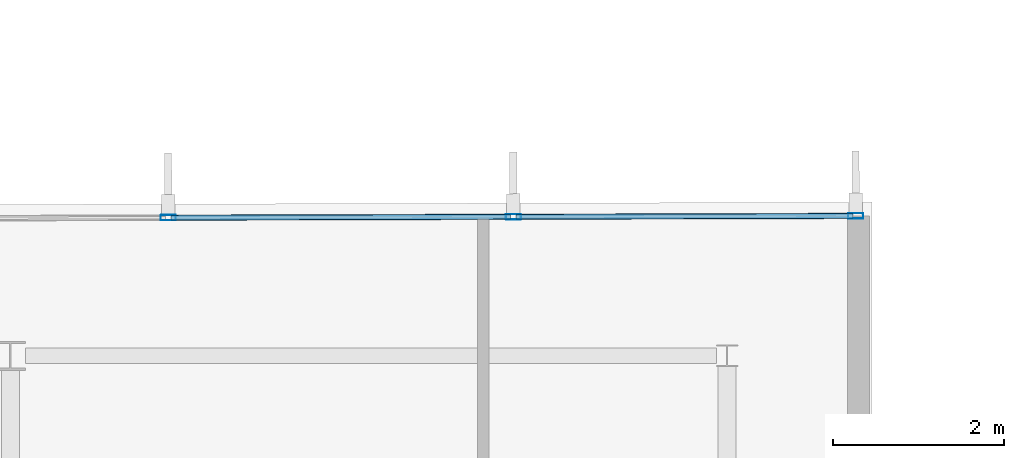
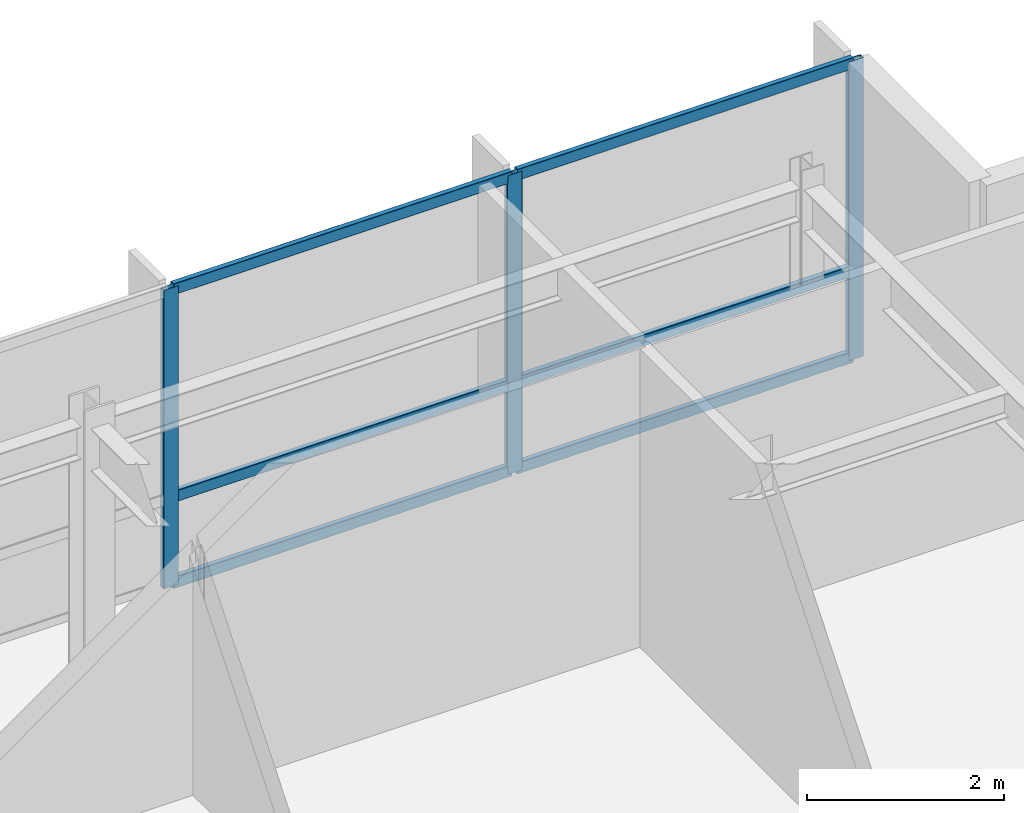
# One storey, part 8 of 15: 9 members, 1 element without a shape of its own.
"""IFC4 building model written with IfcOpenShell, lengths in metres."""

from ifc_helpers import new_model, si_unit, direction, frame, origin, origin_2d, place, context, subcontext, project, spatial, hollow_rectangle, extrude, material, layer, layer_set, material_profile, profile_set, type_object, element, aggregate, save


model = new_model("IFC4")

# Units and contexts
model_context = context("Model", 3, precision=1e-05, world=origin(), true_north=direction((0.0, 1.0)))
body_context = subcontext(model_context, "Body", "Model", "MODEL_VIEW")
ifc_project = project(units=[si_unit("LENGTHUNIT", "METRE"), si_unit("AREAUNIT", "SQUARE_METRE"), si_unit("VOLUMEUNIT", "CUBIC_METRE"), si_unit("PLANEANGLEUNIT", "RADIAN"), si_unit("MASSUNIT", "GRAM", prefix="KILO")], contexts=[model_context])

# Site, building, storey
site_placement = place(None, origin())
site = spatial("IfcSite", under=ifc_project, at=site_placement, CompositionType="ELEMENT")
building_placement = place(site_placement, origin())
building = spatial("IfcBuilding", under=site, at=building_placement, Name="Varnakote Quay Hospital", CompositionType="ELEMENT")
storey_placement = place(building_placement, frame((0.0, 0.0, 244.699951171875)))
storey = spatial("IfcBuildingStorey", under=building, at=storey_placement, Name="L60", CompositionType="ELEMENT", Elevation=244.699951171875)

# Curtain wall, members
ifc_material_1 = material(Name="Anodised aluminium 6063-T6 Bronze", Category="aluminium")
ifc_layer = layer(ifc_material_1, 0.235107421875)
ifc_layer_set = layer_set([ifc_layer], Name="Anodised aluminium 6063-T6 Bronze")
curtain_wall_type = type_object("IfcCurtainWallType", Name="CW-SYS-5", PredefinedType="NOTDEFINED", material=ifc_layer_set)
curtain_wall_placement = place(storey_placement, origin())
curtain_wall = element("IfcCurtainWall", 1, at=curtain_wall_placement, inside=storey, type_object=curtain_wall_type, Name="L60 Unitised Bronze Curtain Wall 1", PredefinedType="NOTDEFINED")
ifc_material_2 = material(Name="Anodised aluminium 6063-T6 Bronze", Category="aluminium")
ifc_material_profile_1 = material_profile(ifc_material_2, hollow_rectangle(XDim=0.06494140625, YDim=0.179931640625, WallThickness=0.00390625, InnerFilletRadius=0.00390625, OuterFilletRadius=0.008056640625, at=origin_2d()), Name="CW-MULL-180x65")
ifc_profile_set_1 = profile_set([ifc_material_profile_1], Name="Anodised aluminium 6063-T6 Bronze")
member_type_1 = type_object("IfcMemberType", Name="CW-MULL-180x65", PredefinedType="MULLION", material=ifc_profile_set_1)
member_1_placement = place(storey_placement, frame((43.507568359375, 30.439453125, 0.0), z_axis=(0.0, 0.0, 1.0), x_axis=(0.002604222224, -0.999996609008, 0.0)))
member_1 = element("IfcMember", 2, at=member_1_placement, type_object=member_type_1, Name="-5-L60-1 mullion 1", PredefinedType="MULLION", context=body_context, shape_type="SweptSolid", body=[
    extrude(hollow_rectangle(XDim=0.06494140625, YDim=0.179931640625, WallThickness=0.00390625, InnerFilletRadius=0.00390625, OuterFilletRadius=0.008056640625, at=origin_2d()), origin(), (0.0, 0.0, 1.0), 3.7099609375),
])
member_2_placement = place(storey_placement, frame((39.495361328125, 30.428955078125, 0.0), z_axis=(0.0, 0.0, 1.0), x_axis=(0.002604222224, -0.999996609008, 0.0)))
member_2 = element("IfcMember", 3, at=member_2_placement, type_object=member_type_1, Name="-5-L60-1 mullion 2", PredefinedType="MULLION", context=body_context, shape_type="SweptSolid", body=[
    extrude(hollow_rectangle(XDim=0.06494140625, YDim=0.179931640625, WallThickness=0.00390625, InnerFilletRadius=0.00390625, OuterFilletRadius=0.008056640625, at=origin_2d()), origin(), (0.0, 0.0, 1.0), 3.7099609375),
])
member_3_placement = place(storey_placement, frame((35.45068359375, 30.41845703125, 0.0), z_axis=(0.0, 0.0, 1.0), x_axis=(0.002604222224, -0.999996609008, 0.0)))
member_3 = element("IfcMember", 4, at=member_3_placement, type_object=member_type_1, Name="-5-L60-1 mullion 3", PredefinedType="MULLION", context=body_context, shape_type="SweptSolid", body=[
    extrude(hollow_rectangle(XDim=0.06494140625, YDim=0.179931640625, WallThickness=0.00390625, InnerFilletRadius=0.00390625, OuterFilletRadius=0.008056640625, at=origin_2d()), origin(), (0.0, 0.0, 1.0), 3.7099609375),
])
ifc_material_3 = material(Name="Anodised aluminium 6063-T6 Bronze", Category="aluminium")
ifc_material_profile_2 = material_profile(ifc_material_3, hollow_rectangle(XDim=0.06494140625, YDim=0.139892578125, WallThickness=0.00390625, InnerFilletRadius=0.00390625, OuterFilletRadius=0.007568359375, at=origin_2d()), Name="CW-TRAN-140x65")
ifc_profile_set_2 = profile_set([ifc_material_profile_2], Name="Anodised aluminium 6063-T6 Bronze")
member_type_2 = type_object("IfcMemberType", Name="CW-TRAN-140x65", PredefinedType="USERDEFINED", material=ifc_profile_set_2)
member_4_placement = place(storey_placement, frame((43.47509765625, 30.439453125, 0.032470703125), z_axis=(-0.999996625932, -0.002597715134, 0.0), x_axis=(0.002597715134, -0.999996625932, 0.0)))
member_4 = element("IfcMember", 5, at=member_4_placement, type_object=member_type_2, Name="-5-L60-1 transom 1.1", ObjectType="TRANSOM", PredefinedType="USERDEFINED", context=body_context, shape_type="SweptSolid", body=[
    extrude(hollow_rectangle(XDim=0.06494140625, YDim=0.139892578125, WallThickness=0.00390625, InnerFilletRadius=0.00390625, OuterFilletRadius=0.007568359375, at=origin_2d()), origin(), (0.0, 0.0, 1.0), 3.947265625),
])
member_5_placement = place(storey_placement, frame((43.47509765625, 30.439453125, 1.10009765625), z_axis=(-0.999996625932, -0.002597715134, 0.0), x_axis=(0.002597715134, -0.999996625932, 0.0)))
member_5 = element("IfcMember", 6, at=member_5_placement, type_object=member_type_2, Name="-5-L60-1 transom 1.2", ObjectType="TRANSOM", PredefinedType="USERDEFINED", context=body_context, shape_type="SweptSolid", body=[
    extrude(hollow_rectangle(XDim=0.06494140625, YDim=0.139892578125, WallThickness=0.00390625, InnerFilletRadius=0.00390625, OuterFilletRadius=0.007568359375, at=origin_2d()), origin(), (0.0, 0.0, 1.0), 3.947265625),
])
member_6_placement = place(storey_placement, frame((43.47509765625, 30.439453125, 3.677490234375), z_axis=(-0.999996625932, -0.002597715134, 0.0), x_axis=(0.002597715134, -0.999996625932, 0.0)))
member_6 = element("IfcMember", 7, at=member_6_placement, type_object=member_type_2, Name="-5-L60-1 transom 1.3", ObjectType="TRANSOM", PredefinedType="USERDEFINED", context=body_context, shape_type="SweptSolid", body=[
    extrude(hollow_rectangle(XDim=0.06494140625, YDim=0.139892578125, WallThickness=0.00390625, InnerFilletRadius=0.00390625, OuterFilletRadius=0.007568359375, at=origin_2d()), origin(), (0.0, 0.0, 1.0), 3.947265625),
])
member_7_placement = place(storey_placement, frame((39.462890625, 30.428955078125, 0.032470703125), z_axis=(-0.999996680766, -0.002576520495, 0.0), x_axis=(0.002576520495, -0.999996680766, 0.0)))
member_7 = element("IfcMember", 8, at=member_7_placement, type_object=member_type_2, Name="-5-L60-1 transom 2.1", ObjectType="TRANSOM", PredefinedType="USERDEFINED", context=body_context, shape_type="SweptSolid", body=[
    extrude(hollow_rectangle(XDim=0.06494140625, YDim=0.139892578125, WallThickness=0.00390625, InnerFilletRadius=0.00390625, OuterFilletRadius=0.007568359375, at=origin_2d()), origin(), (0.0, 0.0, 1.0), 3.979736328125),
])
member_8_placement = place(storey_placement, frame((39.462890625, 30.428955078125, 1.10009765625), z_axis=(-0.999996680766, -0.002576520495, 0.0), x_axis=(0.002576520495, -0.999996680766, 0.0)))
member_8 = element("IfcMember", 9, at=member_8_placement, type_object=member_type_2, Name="-5-L60-1 transom 2.2", ObjectType="TRANSOM", PredefinedType="USERDEFINED", context=body_context, shape_type="SweptSolid", body=[
    extrude(hollow_rectangle(XDim=0.06494140625, YDim=0.139892578125, WallThickness=0.00390625, InnerFilletRadius=0.00390625, OuterFilletRadius=0.007568359375, at=origin_2d()), origin(), (0.0, 0.0, 1.0), 3.979736328125),
])
member_9_placement = place(storey_placement, frame((39.462890625, 30.428955078125, 3.677490234375), z_axis=(-0.999996680766, -0.002576520495, 0.0), x_axis=(0.002576520495, -0.999996680766, 0.0)))
member_9 = element("IfcMember", 10, at=member_9_placement, type_object=member_type_2, Name="-5-L60-1 transom 2.3", ObjectType="TRANSOM", PredefinedType="USERDEFINED", context=body_context, shape_type="SweptSolid", body=[
    extrude(hollow_rectangle(XDim=0.06494140625, YDim=0.139892578125, WallThickness=0.00390625, InnerFilletRadius=0.00390625, OuterFilletRadius=0.007568359375, at=origin_2d()), origin(), (0.0, 0.0, 1.0), 3.979736328125),
])
aggregate(curtain_wall, [member_1, member_2, member_3, member_4, member_5, member_6, member_7, member_8, member_9])

save(model, "model.ifc")
